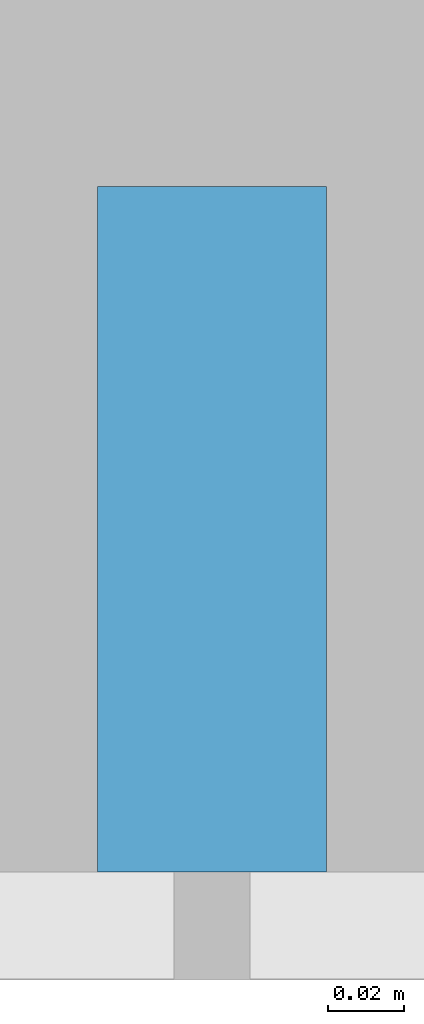
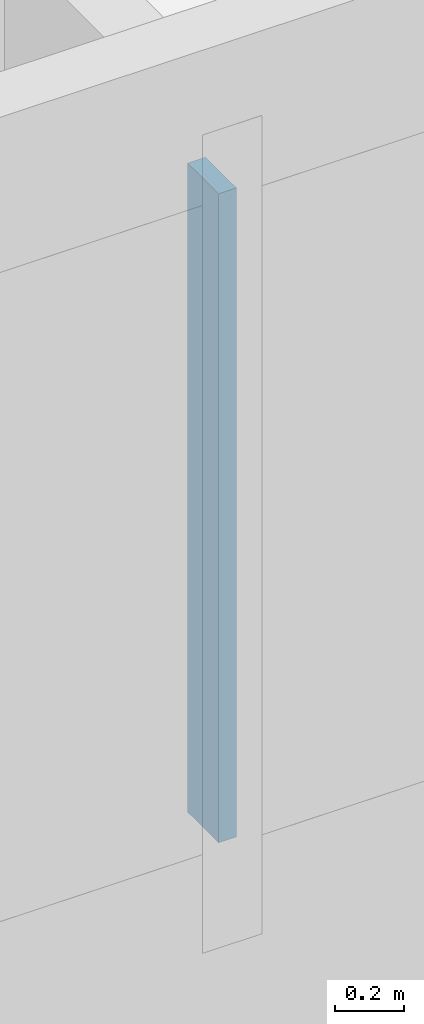
# One storey, part 3 of 26: 1 member, 1 element without a shape of its own.
"""IFC4 building model written with IfcOpenShell, lengths in metres."""

from ifc_helpers import new_model, si_unit, direction, frame, origin, origin_2d, place, context, subcontext, project, spatial, rectangle, extrude, material, layer, layer_set, material_profile, profile_set, type_object, element, aggregate, save


model = new_model("IFC4")

# Units and contexts
model_context = context("Model", 3, precision=1e-05, world=origin(), true_north=direction((0.0, 1.0)))
body_context = subcontext(model_context, "Body", "Model", "MODEL_VIEW")
ifc_project = project(units=[si_unit("LENGTHUNIT", "METRE"), si_unit("AREAUNIT", "SQUARE_METRE"), si_unit("VOLUMEUNIT", "CUBIC_METRE"), si_unit("PLANEANGLEUNIT", "RADIAN"), si_unit("MASSUNIT", "GRAM", prefix="KILO")], contexts=[model_context])

# Site, building, storey
site_placement = place(None, origin())
site = spatial("IfcSite", under=ifc_project, at=site_placement, CompositionType="ELEMENT")
building_placement = place(site_placement, origin())
building = spatial("IfcBuilding", under=site, at=building_placement, Name="Hakoniwa Tower and Hamabe Station Hall", CompositionType="ELEMENT")
storey_placement = place(building_placement, frame((0.0, 0.0, 225.0)))
storey = spatial("IfcBuildingStorey", under=building, at=storey_placement, Name="L64", CompositionType="ELEMENT", Elevation=225.0)

# Curtain wall, member
ifc_material_1 = material(Name="Dark low-e laminated glass", Category="glass")
ifc_layer = layer(ifc_material_1, 0.199951171875)
ifc_layer_set = layer_set([ifc_layer], Name="CW-1 UNITISED GUEST")
curtain_wall_type = type_object("IfcCurtainWallType", Name="CW-1 UNITISED GUEST", PredefinedType="NOTDEFINED", material=ifc_layer_set)
curtain_wall_placement = place(storey_placement, origin())
curtain_wall = element("IfcCurtainWall", 1, at=curtain_wall_placement, inside=storey, type_object=curtain_wall_type, Name="CW-1 curtain wall", PredefinedType="NOTDEFINED")
ifc_material_2 = material(Name="Aluminium 6063-T5 black anodised", Category="aluminium")
ifc_material_profile = material_profile(ifc_material_2, rectangle(XDim=0.06005859375, YDim=0.179931640625, at=origin_2d()), Name="CW-1 MULLION 60X180")
ifc_profile_set = profile_set([ifc_material_profile], Name="Aluminium 6063-T5 black anodised")
member_type = type_object("IfcMemberType", Name="CW-1 MULLION 60X180", PredefinedType="MULLION", material=ifc_profile_set)
member_placement = place(storey_placement, frame((0.0, -15.431884765625, 0.35009765625), z_axis=(0.0, 0.0, 1.0), x_axis=(1.0, 0.0, 0.0)))
member = element("IfcMember", 2, at=member_placement, type_object=member_type, Name="CW-1 mullion", PredefinedType="MULLION", context=body_context, shape_type="SweptSolid", body=[
    extrude(rectangle(XDim=0.06005859375, YDim=0.179931640625, at=origin_2d()), origin(), (0.0, 0.0, 1.0), 2.2998046875),
])
aggregate(curtain_wall, [member])

save(model, "model.ifc")
